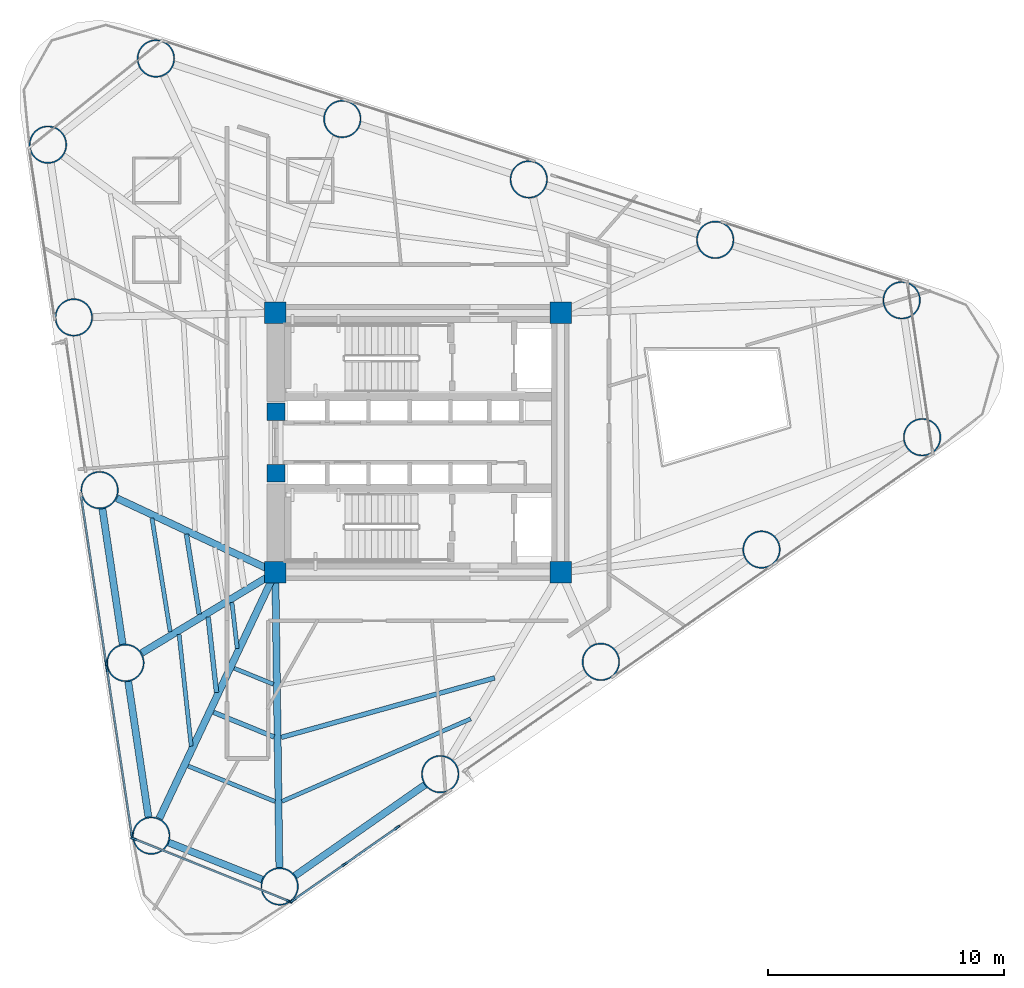
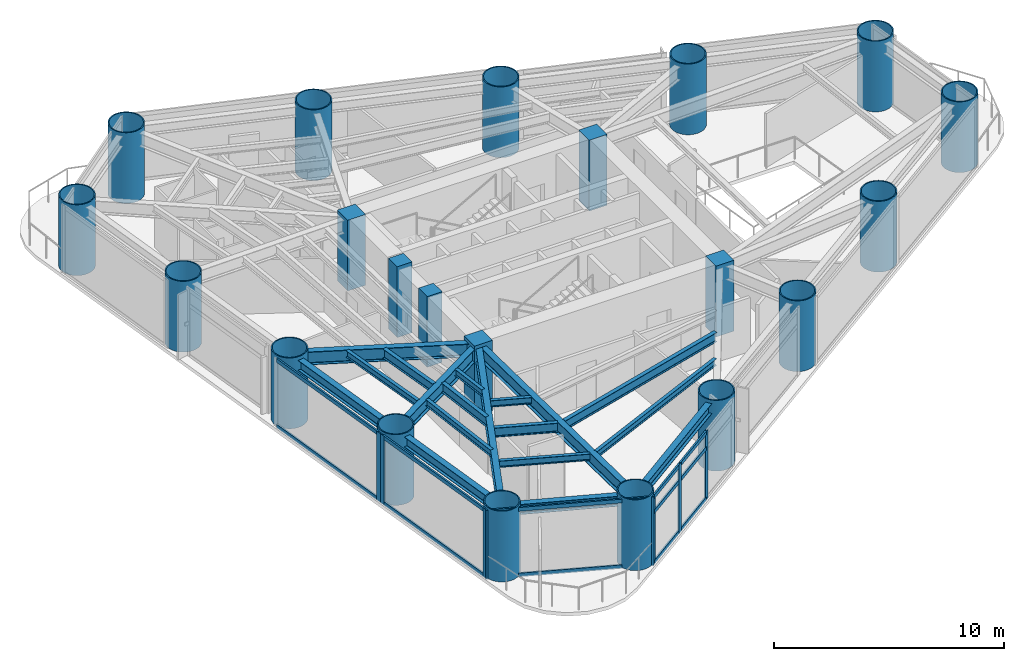
# One storey, part 1 of 9: 21 columns, 20 members, 18 beams, 4 elements without a shape of their own.
"""IFC4 building model written with IfcOpenShell, lengths in metres."""

from ifc_helpers import new_model, si_unit, direction, frame, origin, origin_2d, place, context, subcontext, project, spatial, rectangle, hollow_circle, i_section, extrude, source, transform, mapped, material, layer, layer_set, material_profile, profile_set, type_object, element, aggregate, save


model = new_model("IFC4")

# Units and contexts
model_context = context("Model", 3, precision=1e-05, world=origin(), true_north=direction((0.0, 1.0)))
body_context = subcontext(model_context, "Body", "Model", "MODEL_VIEW")
ifc_project = project(units=[si_unit("LENGTHUNIT", "METRE"), si_unit("AREAUNIT", "SQUARE_METRE"), si_unit("VOLUMEUNIT", "CUBIC_METRE"), si_unit("PLANEANGLEUNIT", "RADIAN"), si_unit("MASSUNIT", "GRAM", prefix="KILO")], contexts=[model_context])

# Site, building, storey
site_placement = place(None, origin())
site = spatial("IfcSite", under=ifc_project, at=site_placement, CompositionType="ELEMENT")
building_placement = place(site_placement, origin())
building = spatial("IfcBuilding", under=site, at=building_placement, Name="Yunling Apex Tower", CompositionType="ELEMENT")
storey_placement = place(building_placement, frame((0.0, 0.0, 73.550048828125)))
storey = spatial("IfcBuildingStorey", under=building, at=storey_placement, Name="L19", CompositionType="ELEMENT", Elevation=73.550048828125)

# Columns
ifc_material_1 = material(Name="Concrete C60", Category="concrete")
ifc_material_profile_1 = material_profile(ifc_material_1, rectangle(XDim=0.89990234375, YDim=0.89990234375, at=origin_2d()))
ifc_profile_set_1 = profile_set([ifc_material_profile_1], Name="Concrete C60")
column_type_1 = type_object("IfcColumnType", Name="PC-SRC-3", PredefinedType="COLUMN", material=ifc_profile_set_1)
shared_shape_1 = source(origin(), body_context, "Body", "SweptSolid", [
    extrude(rectangle(XDim=0.89990234375, YDim=0.89990234375, at=origin_2d()), origin(), (0.0, 0.0, 1.0), 3.75),
])
for number, where, z_axis, x_axis, name in (
    (1, (-6.050048828125, -5.5, 0.0), (0.0, 0.0, 1.0), (1.0, 0.0, 0.0), "L19 Core Spine Column CC-SW"),
    (2, (6.050048828125, -5.5, 0.0), (0.0, 0.0, 1.0), (1.0, 0.0, 0.0), "L19 Core Spine Column CC-SE"),
    (3, (6.050048828125, 5.5, 0.0), (0.0, 0.0, 1.0), (1.0, 0.0, 0.0), "L19 Core Spine Column CC-NE"),
    (4, (-6.050048828125, 5.5, 0.0), (0.0, 0.0, 1.0), (1.0, 0.0, 0.0), "L19 Core Spine Column CC-NW"),
):
    element("IfcColumn", number, at=place(storey_placement, frame(where, z_axis=z_axis, x_axis=x_axis)), inside=storey, type_object=column_type_1, Name=name, PredefinedType="COLUMN", context=body_context, shape_type="MappedRepresentation", body=[
        mapped(shared_shape_1, transform((0.0, 0.0, 0.0), scale=1.0)),
    ])
ifc_material_2 = material(Name="Concrete C50", Category="concrete")
ifc_material_profile_2 = material_profile(ifc_material_2, rectangle(XDim=0.75, YDim=0.75, at=origin_2d()))
ifc_profile_set_2 = profile_set([ifc_material_profile_2], Name="Concrete C50")
column_type_2 = type_object("IfcColumnType", Name="PC-SRC-4", PredefinedType="COLUMN", material=ifc_profile_set_2)
shared_shape_2 = source(origin(), body_context, "Body", "SweptSolid", [
    extrude(rectangle(XDim=0.75, YDim=0.75, at=origin_2d()), origin(), (0.0, 0.0, 1.0), 3.75),
])
for number, where, z_axis, x_axis, name in (
    (5, (-6.02490234375, -1.300048828125, 0.0), (0.0, 0.0, 1.0), (1.0, 0.0, 0.0), "L19 Core West Portal Jamb Column S"),
    (6, (-6.02490234375, 1.300048828125, 0.0), (0.0, 0.0, 1.0), (1.0, 0.0, 0.0), "L19 Core West Portal Jamb Column N"),
):
    element("IfcColumn", number, at=place(storey_placement, frame(where, z_axis=z_axis, x_axis=x_axis)), inside=storey, type_object=column_type_2, Name=name, PredefinedType="COLUMN", context=body_context, shape_type="MappedRepresentation", body=[
        mapped(shared_shape_2, transform((0.0, 0.0, 0.0), scale=1.0)),
    ])
ifc_material_3 = material(Name="Steel Q390GJC", Category="steel")
ifc_material_profile_3 = material_profile(ifc_material_3, hollow_circle(Radius=0.800048828125, WallThickness=0.054931640625, at=origin_2d()))
ifc_profile_set_3 = profile_set([ifc_material_profile_3], Name="Steel Q390GJC")
column_type_3 = type_object("IfcColumnType", Name="MC-CFST-1", PredefinedType="COLUMN", material=ifc_profile_set_3)
shared_shape_3 = source(origin(), body_context, "Body", "SweptSolid", [
    extrude(hollow_circle(Radius=0.800048828125, WallThickness=0.054931640625, at=origin_2d()), origin(), (0.0, 0.0, 1.0), 3.75),
])
for number, where, z_axis, x_axis, name in (
    (7, (-5.8681640625, -18.8193359375, 0.0), (0.0, 0.0, 1.0), (1.0, 0.0, 0.0), "L19 Perimeter CFST Mega-Column P01"),
    (8, (0.941650390625, -14.05810546875, 0.0), (0.0, 0.0, 1.0), (1.0, 0.0, 0.0), "L19 Perimeter CFST Mega-Column P02"),
    (9, (7.751708984375, -9.296875, 0.0), (0.0, 0.0, 1.0), (1.0, 0.0, 0.0), "L19 Perimeter CFST Mega-Column P03"),
    (10, (14.5615234375, -4.535400390625, 0.0), (0.0, 0.0, 1.0), (1.0, 0.0, 0.0), "L19 Perimeter CFST Mega-Column P04"),
    (11, (21.371337890625, 0.225830078125, 0.0), (0.0, 0.0, 1.0), (1.0, 0.0, 0.0), "L19 Perimeter CFST Mega-Column P05"),
    (12, (20.50341796875, 6.032470703125, 0.0), (0.0, 0.0, 1.0), (1.0, 0.0, 0.0), "L19 Perimeter CFST Mega-Column P06"),
    (13, (12.59912109375, 8.594482421875, 0.0), (0.0, 0.0, 1.0), (1.0, 0.0, 0.0), "L19 Perimeter CFST Mega-Column P07"),
    (14, (4.69482421875, 11.15673828125, 0.0), (0.0, 0.0, 1.0), (1.0, 0.0, 0.0), "L19 Perimeter CFST Mega-Column P08"),
    (15, (-3.209716796875, 13.718994140625, 0.0), (0.0, 0.0, 1.0), (1.0, 0.0, 0.0), "L19 Perimeter CFST Mega-Column P09"),
    (16, (-11.114013671875, 16.28125, 0.0), (0.0, 0.0, 1.0), (1.0, 0.0, 0.0), "L19 Perimeter CFST Mega-Column P10"),
    (17, (-15.689208984375, 12.62939453125, 0.0), (0.0, 0.0, 1.0), (1.0, 0.0, 0.0), "L19 Perimeter CFST Mega-Column P11"),
    (18, (-14.594482421875, 5.305908203125, 0.0), (0.0, 0.0, 1.0), (1.0, 0.0, 0.0), "L19 Perimeter CFST Mega-Column P12"),
    (19, (-13.5, -2.017578125, 0.0), (0.0, 0.0, 1.0), (1.0, 0.0, 0.0), "L19 Perimeter CFST Mega-Column P13"),
    (20, (-12.405517578125, -9.341064453125, 0.0), (0.0, 0.0, 1.0), (1.0, 0.0, 0.0), "L19 Perimeter CFST Mega-Column P14"),
    (21, (-11.31103515625, -16.66455078125, 0.0), (0.0, 0.0, 1.0), (1.0, 0.0, 0.0), "L19 Perimeter CFST Mega-Column P15"),
):
    element("IfcColumn", number, at=place(storey_placement, frame(where, z_axis=z_axis, x_axis=x_axis)), inside=storey, type_object=column_type_3, Name=name, PredefinedType="COLUMN", context=body_context, shape_type="MappedRepresentation", body=[
        mapped(shared_shape_3, transform((0.0, 0.0, 0.0), scale=1.0)),
    ])

# Beams
ifc_material_4 = material(Name="Steel Q355B", Category="steel")
ifc_material_profile_4 = material_profile(ifc_material_4, i_section(OverallWidth=0.300048828125, OverallDepth=0.5400390625, WebThickness=0.011962890625, FlangeThickness=0.02001953125, FilletRadius=0.02392578125, at=origin_2d()))
ifc_profile_set_4 = profile_set([ifc_material_profile_4], Name="Steel Q355B")
beam_type_1 = type_object("IfcBeamType", Name="BP-SPN-1", PredefinedType="SPANDREL", material=ifc_profile_set_4)
shared_shape_4 = source(origin(), body_context, "Body", "SweptSolid", [
    extrude(i_section(OverallWidth=0.300048828125, OverallDepth=0.5400390625, WebThickness=0.011962890625, FlangeThickness=0.02001953125, FilletRadius=0.02392578125, at=origin_2d()), origin(), (0.0, 0.0, 1.0), 6.721435546875),
])
beam_1_placement = place(storey_placement, frame((-5.217529296875, -18.364501953125, 3.294921875), z_axis=(0.81955772083, 0.572996633697, 0.0), x_axis=(-0.572996633697, 0.81955772083, 0.0)))
element("IfcBeam", 22, at=beam_1_placement, inside=storey, type_object=beam_type_1, Name="L19 Perimeter Spandrel Beam 1", PredefinedType="SPANDREL", context=body_context, shape_type="MappedRepresentation", body=[
    mapped(shared_shape_4, transform((0.0, 0.0, 0.0), scale=1.0)),
])
shared_shape_5 = source(origin(), body_context, "Body", "SweptSolid", [
    extrude(i_section(OverallWidth=0.300048828125, OverallDepth=0.5400390625, WebThickness=0.011962890625, FlangeThickness=0.02001953125, FilletRadius=0.02392578125, at=origin_2d()), origin(), (0.0, 0.0, 1.0), 4.265869140625),
])
beam_2_placement = place(storey_placement, frame((-10.57275390625, -16.956787109375, 3.294921875), z_axis=(0.929781313093, -0.368112360323, 0.0), x_axis=(0.368112360323, 0.929781313093, 0.0)))
element("IfcBeam", 23, at=beam_2_placement, inside=storey, type_object=beam_type_1, Name="L19 Perimeter Spandrel Beam 15", PredefinedType="SPANDREL", context=body_context, shape_type="MappedRepresentation", body=[
    mapped(shared_shape_5, transform((0.0, 0.0, 0.0), scale=1.0)),
])
shared_shape_6 = source(origin(), body_context, "Body", "SweptSolid", [
    extrude(i_section(OverallWidth=0.300048828125, OverallDepth=0.5400390625, WebThickness=0.011962890625, FlangeThickness=0.02001953125, FilletRadius=0.02392578125, at=origin_2d()), origin(), (0.0, 0.0, 1.0), 5.81689453125),
])
for number, where, z_axis, x_axis, name in (
    (24, (-13.3828125, -2.802978515625, 3.294921875), (0.147823230204, -0.989013797989, 0.0), (0.989013797989, 0.147823230204, 0.0), "L19 Perimeter Spandrel Beam 13"),
    (25, (-12.2880859375, -10.12646484375, 3.294921875), (0.14778217558, -0.989019933359, 0.0), (0.989019933359, 0.14778217558, 0.0), "L19 Perimeter Spandrel Beam 14"),
):
    element("IfcBeam", number, at=place(storey_placement, frame(where, z_axis=z_axis, x_axis=x_axis)), inside=storey, type_object=beam_type_1, Name=name, PredefinedType="SPANDREL", context=body_context, shape_type="MappedRepresentation", body=[
        mapped(shared_shape_6, transform((0.0, 0.0, 0.0), scale=1.0)),
    ])
ifc_material_profile_5 = material_profile(ifc_material_4, i_section(OverallWidth=0.300048828125, OverallDepth=0.699951171875, WebThickness=0.012939453125, FlangeThickness=0.02392578125, FilletRadius=0.02587890625, at=origin_2d()))
ifc_profile_set_5 = profile_set([ifc_material_profile_5], Name="Steel Q355B")
beam_type_2 = type_object("IfcBeamType", Name="BG-PRI-3", PredefinedType="USERDEFINED", material=ifc_profile_set_5)
shared_shape_7 = source(origin(), body_context, "Body", "SweptSolid", [
    extrude(i_section(OverallWidth=0.300048828125, OverallDepth=0.699951171875, WebThickness=0.012939453125, FlangeThickness=0.02392578125, FilletRadius=0.02587890625, at=origin_2d()), origin(), (0.0, 0.0, 1.0), 12.4326171875),
])
beam_3_placement = place(storey_placement, frame((-5.879150390625, -18.011474609375, 3.21484375), z_axis=(-0.013647857779, 0.999906863652, 0.0), x_axis=(-0.999906863652, -0.013647857779, 0.0)))
element("IfcBeam", 26, at=beam_3_placement, inside=storey, type_object=beam_type_2, Name="L19 Radial Primary Girder R01", ObjectType="GIRDER", PredefinedType="USERDEFINED", context=body_context, shape_type="MappedRepresentation", body=[
    mapped(shared_shape_7, transform((0.0, 0.0, 0.0), scale=1.0)),
])
shared_shape_8 = source(origin(), body_context, "Body", "SweptSolid", [
    extrude(i_section(OverallWidth=0.300048828125, OverallDepth=0.699951171875, WebThickness=0.012939453125, FlangeThickness=0.02392578125, FilletRadius=0.02587890625, at=origin_2d()), origin(), (0.0, 0.0, 1.0), 7.335693359375),
])
beam_4_placement = place(storey_placement, frame((-12.76806640625, -2.35986328125, 3.21484375), z_axis=(0.905923640783, -0.423441090437, 0.0), x_axis=(0.423441090437, 0.905923640783, 0.0)))
element("IfcBeam", 27, at=beam_4_placement, inside=storey, type_object=beam_type_2, Name="L19 Radial Primary Girder R13", ObjectType="GIRDER", PredefinedType="USERDEFINED", context=body_context, shape_type="MappedRepresentation", body=[
    mapped(shared_shape_8, transform((0.0, 0.0, 0.0), scale=1.0)),
])
shared_shape_9 = source(origin(), body_context, "Body", "SweptSolid", [
    extrude(i_section(OverallWidth=0.300048828125, OverallDepth=0.699951171875, WebThickness=0.012939453125, FlangeThickness=0.02392578125, FilletRadius=0.02587890625, at=origin_2d()), origin(), (0.0, 0.0, 1.0), 6.5380859375),
])
beam_5_placement = place(storey_placement, frame((-11.714111328125, -8.923095703125, 3.21484375), z_axis=(0.855857690559, 0.517211381847, 0.0), x_axis=(-0.517211381847, 0.855857690559, 0.0)))
element("IfcBeam", 28, at=beam_5_placement, inside=storey, type_object=beam_type_2, Name="L19 Radial Primary Girder R14", ObjectType="GIRDER", PredefinedType="USERDEFINED", context=body_context, shape_type="MappedRepresentation", body=[
    mapped(shared_shape_9, transform((0.0, 0.0, 0.0), scale=1.0)),
])
shared_shape_10 = source(origin(), body_context, "Body", "SweptSolid", [
    extrude(i_section(OverallWidth=0.300048828125, OverallDepth=0.699951171875, WebThickness=0.012939453125, FlangeThickness=0.02392578125, FilletRadius=0.02587890625, at=origin_2d()), origin(), (0.0, 0.0, 1.0), 11.4541015625),
])
beam_6_placement = place(storey_placement, frame((-10.966796875, -15.93359375, 3.21484375), z_axis=(0.426297901301, 0.904582831667, 0.0), x_axis=(-0.904582831667, 0.426297901301, 0.0)))
element("IfcBeam", 29, at=beam_6_placement, inside=storey, type_object=beam_type_2, Name="L19 Radial Primary Girder R15", ObjectType="GIRDER", PredefinedType="USERDEFINED", context=body_context, shape_type="MappedRepresentation", body=[
    mapped(shared_shape_10, transform((0.0, 0.0, 0.0), scale=1.0)),
])
ifc_material_profile_6 = material_profile(ifc_material_4, i_section(OverallWidth=0.199951171875, OverallDepth=0.5, WebThickness=0.010009765625, FlangeThickness=0.01611328125, FilletRadius=0.02001953125, at=origin_2d()))
ifc_profile_set_6 = profile_set([ifc_material_profile_6], Name="Steel Q355B")
beam_type_3 = type_object("IfcBeamType", Name="BS-SEC-2", PredefinedType="BEAM", material=ifc_profile_set_6)
shared_shape_11 = source(origin(), body_context, "Body", "SweptSolid", [
    extrude(i_section(OverallWidth=0.199951171875, OverallDepth=0.5, WebThickness=0.010009765625, FlangeThickness=0.01611328125, FilletRadius=0.02001953125, at=origin_2d()), origin(), (0.0, 0.0, 1.0), 9.3935546875),
])
beam_7_placement = place(storey_placement, frame((-5.7998046875, -12.498779296875, 3.31494140625), z_axis=(0.963300137935, 0.268426608693, 0.0), x_axis=(-0.268426608693, 0.963300137935, 0.0)))
element("IfcBeam", 30, at=beam_7_placement, inside=storey, type_object=beam_type_3, Name="L19 Composite Floor Beam BS-1", PredefinedType="BEAM", context=body_context, shape_type="MappedRepresentation", body=[
    mapped(shared_shape_11, transform((0.0, 0.0, 0.0), scale=1.0)),
])
ifc_material_profile_7 = material_profile(ifc_material_4, i_section(OverallWidth=0.175048828125, OverallDepth=0.35009765625, WebThickness=0.007080078125, FlangeThickness=0.010986328125, FilletRadius=0.013916015625, at=origin_2d()))
ifc_profile_set_7 = profile_set([ifc_material_profile_7], Name="Steel Q355B")
beam_type_4 = type_object("IfcBeamType", Name="BJ-JST-1", PredefinedType="JOIST", material=ifc_profile_set_7)
shared_shape_12 = source(origin(), body_context, "Body", "SweptSolid", [
    extrude(i_section(OverallWidth=0.175048828125, OverallDepth=0.35009765625, WebThickness=0.007080078125, FlangeThickness=0.010986328125, FilletRadius=0.013916015625, at=origin_2d()), origin(), (0.0, 0.0, 1.0), 8.734375),
])
beam_8_placement = place(storey_placement, frame((-5.77001953125, -15.21240234375, 3.389892578125), z_axis=(0.916252252871, 0.400601808668, 0.0), x_axis=(-0.400601808668, 0.916252252871, 0.0)))
element("IfcBeam", 31, at=beam_8_placement, inside=storey, type_object=beam_type_4, Name="L19 Composite Floor Joist BJ1-1", PredefinedType="JOIST", context=body_context, shape_type="MappedRepresentation", body=[
    mapped(shared_shape_12, transform((0.0, 0.0, 0.0), scale=1.0)),
])
shared_shape_13 = source(origin(), body_context, "Body", "SweptSolid", [
    extrude(i_section(OverallWidth=0.199951171875, OverallDepth=0.5, WebThickness=0.010009765625, FlangeThickness=0.01611328125, FilletRadius=0.02001953125, at=origin_2d()), origin(), (0.0, 0.0, 1.0), 3.435546875),
])
beam_9_placement = place(storey_placement, frame((-9.81884765625, -3.884521484375, 3.31494140625), z_axis=(0.157619096627, -0.987499985002, 0.0), x_axis=(0.987499985002, 0.157619096627, 0.0)))
element("IfcBeam", 32, at=beam_9_placement, inside=storey, type_object=beam_type_3, Name="L19 Composite Floor Beam BS-13", PredefinedType="BEAM", context=body_context, shape_type="MappedRepresentation", body=[
    mapped(shared_shape_13, transform((0.0, 0.0, 0.0), scale=1.0)),
])
shared_shape_14 = source(origin(), body_context, "Body", "SweptSolid", [
    extrude(i_section(OverallWidth=0.175048828125, OverallDepth=0.35009765625, WebThickness=0.007080078125, FlangeThickness=0.010986328125, FilletRadius=0.013916015625, at=origin_2d()), origin(), (0.0, 0.0, 1.0), 4.881591796875),
])
beam_10_placement = place(storey_placement, frame((-11.28076171875, -3.201171875, 3.389892578125), z_axis=(0.158240169421, -0.987400652614, 0.0), x_axis=(0.987400652614, 0.158240169421, 0.0)))
element("IfcBeam", 33, at=beam_10_placement, inside=storey, type_object=beam_type_4, Name="L19 Composite Floor Joist BJ1-13", PredefinedType="JOIST", context=body_context, shape_type="MappedRepresentation", body=[
    mapped(shared_shape_14, transform((0.0, 0.0, 0.0), scale=1.0)),
])
shared_shape_15 = source(origin(), body_context, "Body", "SweptSolid", [
    extrude(i_section(OverallWidth=0.199951171875, OverallDepth=0.5, WebThickness=0.010009765625, FlangeThickness=0.01611328125, FilletRadius=0.02001953125, at=origin_2d()), origin(), (0.0, 0.0, 1.0), 3.222412109375),
])
beam_11_placement = place(storey_placement, frame((-8.898681640625, -7.391357421875, 3.31494140625), z_axis=(0.110315104592, -0.993896663491, 0.0), x_axis=(0.993896663491, 0.110315104592, 0.0)))
element("IfcBeam", 34, at=beam_11_placement, inside=storey, type_object=beam_type_3, Name="L19 Composite Floor Beam BS-14", PredefinedType="BEAM", context=body_context, shape_type="MappedRepresentation", body=[
    mapped(shared_shape_15, transform((0.0, 0.0, 0.0), scale=1.0)),
])
shared_shape_16 = source(origin(), body_context, "Body", "SweptSolid", [
    extrude(i_section(OverallWidth=0.175048828125, OverallDepth=0.35009765625, WebThickness=0.007080078125, FlangeThickness=0.010986328125, FilletRadius=0.013916015625, at=origin_2d()), origin(), (0.0, 0.0, 1.0), 4.765869140625),
])
beam_12_placement = place(storey_placement, frame((-10.130126953125, -8.135498046875, 3.389892578125), z_axis=(0.107732282993, -0.994179941058, 0.0), x_axis=(0.994179941058, 0.107732282993, 0.0)))
element("IfcBeam", 35, at=beam_12_placement, inside=storey, type_object=beam_type_4, Name="L19 Composite Floor Joist BJ1-14", PredefinedType="JOIST", context=body_context, shape_type="MappedRepresentation", body=[
    mapped(shared_shape_16, transform((0.0, 0.0, 0.0), scale=1.0)),
])
shared_shape_17 = source(origin(), body_context, "Body", "SweptSolid", [
    extrude(i_section(OverallWidth=0.175048828125, OverallDepth=0.35009765625, WebThickness=0.007080078125, FlangeThickness=0.010986328125, FilletRadius=0.013916015625, at=origin_2d()), origin(), (0.0, 0.0, 1.0), 1.95947265625),
])
beam_13_placement = place(storey_placement, frame((-7.890625, -6.782470703125, 3.389892578125), z_axis=(0.11512063256, -0.993351518829, 0.0), x_axis=(0.993351518829, 0.11512063256, 0.0)))
element("IfcBeam", 36, at=beam_13_placement, inside=storey, type_object=beam_type_4, Name="L19 Composite Floor Joist BJ3-14", PredefinedType="JOIST", context=body_context, shape_type="MappedRepresentation", body=[
    mapped(shared_shape_17, transform((0.0, 0.0, 0.0), scale=1.0)),
])
shared_shape_18 = source(origin(), body_context, "Body", "SweptSolid", [
    extrude(i_section(OverallWidth=0.199951171875, OverallDepth=0.5, WebThickness=0.010009765625, FlangeThickness=0.01611328125, FilletRadius=0.02001953125, at=origin_2d()), origin(), (0.0, 0.0, 1.0), 2.77294921875),
])
beam_14_placement = place(storey_placement, frame((-8.670166015625, -11.43505859375, 3.31494140625), z_axis=(0.926108309986, -0.377257734413, 0.0), x_axis=(0.377257734413, 0.926108309986, 0.0)))
element("IfcBeam", 37, at=beam_14_placement, inside=storey, type_object=beam_type_3, Name="L19 Composite Floor Beam BS-15", PredefinedType="BEAM", context=body_context, shape_type="MappedRepresentation", body=[
    mapped(shared_shape_18, transform((0.0, 0.0, 0.0), scale=1.0)),
])
shared_shape_19 = source(origin(), body_context, "Body", "SweptSolid", [
    extrude(i_section(OverallWidth=0.175048828125, OverallDepth=0.35009765625, WebThickness=0.007080078125, FlangeThickness=0.010986328125, FilletRadius=0.013916015625, at=origin_2d()), origin(), (0.0, 0.0, 1.0), 3.97412109375),
])
beam_15_placement = place(storey_placement, frame((-9.744384765625, -13.714599609375, 3.389892578125), z_axis=(0.925887115862, -0.377800276178, 0.0), x_axis=(0.377800276178, 0.925887115862, 0.0)))
element("IfcBeam", 38, at=beam_15_placement, inside=storey, type_object=beam_type_4, Name="L19 Composite Floor Joist BJ1-15", PredefinedType="JOIST", context=body_context, shape_type="MappedRepresentation", body=[
    mapped(shared_shape_19, transform((0.0, 0.0, 0.0), scale=1.0)),
])
shared_shape_20 = source(origin(), body_context, "Body", "SweptSolid", [
    extrude(i_section(OverallWidth=0.175048828125, OverallDepth=0.35009765625, WebThickness=0.007080078125, FlangeThickness=0.010986328125, FilletRadius=0.013916015625, at=origin_2d()), origin(), (0.0, 0.0, 1.0), 1.790283203125),
])
beam_16_placement = place(storey_placement, frame((-7.791259765625, -9.56982421875, 3.389892578125), z_axis=(0.926469549023, -0.376369731425, 0.0), x_axis=(0.376369731425, 0.926469549023, 0.0)))
element("IfcBeam", 39, at=beam_16_placement, inside=storey, type_object=beam_type_4, Name="L19 Composite Floor Joist BJ3-15", PredefinedType="JOIST", context=body_context, shape_type="MappedRepresentation", body=[
    mapped(shared_shape_20, transform((0.0, 0.0, 0.0), scale=1.0)),
])

# Curtain wall, members
ifc_material_5 = material(Name="Bronze anodised aluminium", Category="aluminium")
ifc_layer = layer(ifc_material_5, 0.260009765625)
ifc_layer_set = layer_set([ifc_layer], Name="Bronze anodised aluminium")
curtain_wall_type = type_object("IfcCurtainWallType", Name="CW-SYS-2", PredefinedType="NOTDEFINED", material=ifc_layer_set)
curtain_wall_1_placement = place(storey_placement, origin())
curtain_wall_1 = element("IfcCurtainWall", 40, at=curtain_wall_1_placement, inside=storey, type_object=curtain_wall_type, Name="CW-L19-F1-B1", PredefinedType="NOTDEFINED")
ifc_material_profile_8 = material_profile(ifc_material_5, rectangle(XDim=0.0849609375, YDim=0.260009765625, at=origin_2d()))
ifc_profile_set_8 = profile_set([ifc_material_profile_8], Name="Bronze anodised aluminium")
member_type_1 = type_object("IfcMemberType", Name="CW-MUL-2", PredefinedType="MULLION", material=ifc_profile_set_8)
shared_shape_21 = source(origin(), body_context, "Body", "SweptSolid", [
    extrude(rectangle(XDim=0.0849609375, YDim=0.260009765625, at=origin_2d()), origin(), (0.0, 0.0, 1.0), 3.6650390625),
])
member_1_placement = place(storey_placement, frame((-5.3037109375, -19.412841796875, -0.050048828125), z_axis=(0.0, 0.0, 1.0), x_axis=(-0.573004358875, 0.819552319691, 0.0)))
member_1 = element("IfcMember", 41, at=member_1_placement, type_object=member_type_1, Name="CW-SYS-2 mullion 1", PredefinedType="MULLION", context=body_context, shape_type="MappedRepresentation", body=[
    mapped(shared_shape_21, transform((0.0, 0.0, 0.0), scale=1.0)),
])
member_2_placement = place(storey_placement, frame((-3.1123046875, -17.880859375, -0.050048828125), z_axis=(0.0, 0.0, 1.0), x_axis=(-0.573004358875, 0.819552319691, 0.0)))
member_2 = element("IfcMember", 42, at=member_2_placement, type_object=member_type_1, Name="CW-SYS-2 mullion 2", PredefinedType="MULLION", context=body_context, shape_type="MappedRepresentation", body=[
    mapped(shared_shape_21, transform((0.0, 0.0, 0.0), scale=1.0)),
])
member_3_placement = place(storey_placement, frame((-0.885986328125, -16.32421875, -0.050048828125), z_axis=(0.0, 0.0, 1.0), x_axis=(-0.573004358875, 0.819552319691, 0.0)))
member_3 = element("IfcMember", 43, at=member_3_placement, type_object=member_type_1, Name="CW-SYS-2 mullion 3", PredefinedType="MULLION", context=body_context, shape_type="MappedRepresentation", body=[
    mapped(shared_shape_21, transform((0.0, 0.0, 0.0), scale=1.0)),
])

# Curtain wall, member
curtain_wall_2_placement = place(storey_placement, origin())
curtain_wall_2 = element("IfcCurtainWall", 44, at=curtain_wall_2_placement, inside=storey, type_object=curtain_wall_type, Name="CW-L19-F3-B3", PredefinedType="NOTDEFINED")
member_4_placement = place(storey_placement, frame((-13.224853515625, -9.339599609375, -0.050048828125), z_axis=(0.0, 0.0, 1.0), x_axis=(0.98901508166, 0.147814641525, 0.0)))
member_4 = element("IfcMember", 45, at=member_4_placement, type_object=member_type_1, Name="CW-SYS-2 mullion 2", PredefinedType="MULLION", context=body_context, shape_type="MappedRepresentation", body=[
    mapped(shared_shape_21, transform((0.0, 0.0, 0.0), scale=1.0)),
])

# Curtain wall, members
curtain_wall_3_placement = place(storey_placement, origin())
curtain_wall_3 = element("IfcCurtainWall", 46, at=curtain_wall_3_placement, inside=storey, type_object=curtain_wall_type, Name="CW-L19-F3-B4", PredefinedType="NOTDEFINED")
member_5_placement = place(storey_placement, frame((-13.1884765625, -9.58203125, -0.050048828125), z_axis=(0.0, 0.0, 1.0), x_axis=(0.989017099422, 0.14780114022, 0.0)))
member_5 = element("IfcMember", 47, at=member_5_placement, type_object=member_type_1, Name="CW-SYS-2 mullion 1", PredefinedType="MULLION", context=body_context, shape_type="MappedRepresentation", body=[
    mapped(shared_shape_21, transform((0.0, 0.0, 0.0), scale=1.0)),
])
member_6_placement = place(storey_placement, frame((-12.13037109375, -16.6630859375, -0.050048828125), z_axis=(0.0, 0.0, 1.0), x_axis=(0.989017099422, 0.14780114022, 0.0)))
member_6 = element("IfcMember", 48, at=member_6_placement, type_object=member_type_1, Name="CW-SYS-2 mullion 2", PredefinedType="MULLION", context=body_context, shape_type="MappedRepresentation", body=[
    mapped(shared_shape_21, transform((0.0, 0.0, 0.0), scale=1.0)),
])

curtain_wall_4_placement = place(storey_placement, origin())
curtain_wall_4 = element("IfcCurtainWall", 49, at=curtain_wall_4_placement, inside=storey, type_object=curtain_wall_type, Name="CW-L19-CRN3", PredefinedType="NOTDEFINED")
member_7_placement = place(storey_placement, frame((-12.052978515625, -16.79736328125, -0.050048828125), z_axis=(0.0, 0.0, 1.0), x_axis=(0.373143693329, 0.927773562961, 0.0)))
member_7 = element("IfcMember", 50, at=member_7_placement, type_object=member_type_1, Name="CW-SYS-2 mullion 1", PredefinedType="MULLION", context=body_context, shape_type="MappedRepresentation", body=[
    mapped(shared_shape_21, transform((0.0, 0.0, 0.0), scale=1.0)),
])
member_8_placement = place(storey_placement, frame((-5.454833984375, -19.450927734375, -0.050048828125), z_axis=(0.0, 0.0, 1.0), x_axis=(0.373143693329, 0.927773562961, 0.0)))
member_8 = element("IfcMember", 51, at=member_8_placement, type_object=member_type_1, Name="CW-SYS-2 mullion 2", PredefinedType="MULLION", context=body_context, shape_type="MappedRepresentation", body=[
    mapped(shared_shape_21, transform((0.0, 0.0, 0.0), scale=1.0)),
])

# Member
ifc_material_profile_9 = material_profile(ifc_material_5, rectangle(XDim=0.0849609375, YDim=0.199951171875, at=origin_2d()))
ifc_profile_set_9 = profile_set([ifc_material_profile_9], Name="Bronze anodised aluminium")
member_type_2 = type_object("IfcMemberType", Name="CW-TRN-2", PredefinedType="USERDEFINED", material=ifc_profile_set_9)
shared_shape_22 = source(origin(), body_context, "Body", "SweptSolid", [
    extrude(rectangle(XDim=0.0849609375, YDim=0.199951171875, at=origin_2d()), origin(), (0.0, 0.0, 1.0), 2.597412109375),
])
member_9_placement = place(storey_placement, frame((-5.272216796875, -19.39111328125, 0.04248046875), z_axis=(0.819510013096, 0.573064864073, 0.0), x_axis=(-0.573064864073, 0.819510013096, 0.0)))
member_9 = element("IfcMember", 52, at=member_9_placement, type_object=member_type_2, Name="CW-SYS-2 transom 1.1", ObjectType="TRANSOM", PredefinedType="USERDEFINED", context=body_context, shape_type="MappedRepresentation", body=[
    mapped(shared_shape_22, transform((0.0, 0.0, 0.0), scale=1.0)),
])

member_10_placement = place(storey_placement, frame((-5.272216796875, -19.39111328125, 2.71484375), z_axis=(0.819510013096, 0.573064864073, 0.0), x_axis=(-0.573064864073, 0.819510013096, 0.0)))
member_10 = element("IfcMember", 53, at=member_10_placement, type_object=member_type_2, Name="CW-SYS-2 transom 1.2", ObjectType="TRANSOM", PredefinedType="USERDEFINED", context=body_context, shape_type="MappedRepresentation", body=[
    mapped(shared_shape_22, transform((0.0, 0.0, 0.0), scale=1.0)),
])

member_11_placement = place(storey_placement, frame((-5.272216796875, -19.39111328125, 3.5224609375), z_axis=(0.819510013096, 0.573064864073, 0.0), x_axis=(-0.573064864073, 0.819510013096, 0.0)))
member_11 = element("IfcMember", 54, at=member_11_placement, type_object=member_type_2, Name="CW-SYS-2 transom 1.3", ObjectType="TRANSOM", PredefinedType="USERDEFINED", context=body_context, shape_type="MappedRepresentation", body=[
    mapped(shared_shape_22, transform((0.0, 0.0, 0.0), scale=1.0)),
])

shared_shape_23 = source(origin(), body_context, "Body", "SweptSolid", [
    extrude(rectangle(XDim=0.0849609375, YDim=0.199951171875, at=origin_2d()), origin(), (0.0, 0.0, 1.0), 2.639892578125),
])
member_12_placement = place(storey_placement, frame((-3.080810546875, -17.85888671875, 0.04248046875), z_axis=(0.81955329767, 0.573002960095, 0.0), x_axis=(-0.573002960095, 0.81955329767, 0.0)))
member_12 = element("IfcMember", 55, at=member_12_placement, type_object=member_type_2, Name="CW-SYS-2 transom 2.1", ObjectType="TRANSOM", PredefinedType="USERDEFINED", context=body_context, shape_type="MappedRepresentation", body=[
    mapped(shared_shape_23, transform((0.0, 0.0, 0.0), scale=1.0)),
])

member_13_placement = place(storey_placement, frame((-3.080810546875, -17.85888671875, 2.71484375), z_axis=(0.81955329767, 0.573002960095, 0.0), x_axis=(-0.573002960095, 0.81955329767, 0.0)))
member_13 = element("IfcMember", 56, at=member_13_placement, type_object=member_type_2, Name="CW-SYS-2 transom 2.2", ObjectType="TRANSOM", PredefinedType="USERDEFINED", context=body_context, shape_type="MappedRepresentation", body=[
    mapped(shared_shape_23, transform((0.0, 0.0, 0.0), scale=1.0)),
])

member_14_placement = place(storey_placement, frame((-3.080810546875, -17.85888671875, 3.5224609375), z_axis=(0.81955329767, 0.573002960095, 0.0), x_axis=(-0.573002960095, 0.81955329767, 0.0)))
member_14 = element("IfcMember", 57, at=member_14_placement, type_object=member_type_2, Name="CW-SYS-2 transom 2.3", ObjectType="TRANSOM", PredefinedType="USERDEFINED", context=body_context, shape_type="MappedRepresentation", body=[
    mapped(shared_shape_23, transform((0.0, 0.0, 0.0), scale=1.0)),
])

aggregate(curtain_wall_1, [member_1, member_2, member_3, member_9, member_10, member_11, member_12, member_13, member_14])

shared_shape_24 = source(origin(), body_context, "Body", "SweptSolid", [
    extrude(rectangle(XDim=0.0849609375, YDim=0.199951171875, at=origin_2d()), origin(), (0.0, 0.0, 1.0), 7.03515625),
])
member_15_placement = place(storey_placement, frame((-12.017578125, -16.8115234375, 0.04248046875), z_axis=(0.927768998615, -0.373155041784, 0.0), x_axis=(0.373155041784, 0.927768998615, 0.0)))
member_15 = element("IfcMember", 58, at=member_15_placement, type_object=member_type_2, Name="CW-SYS-2 transom 1.1", ObjectType="TRANSOM", PredefinedType="USERDEFINED", context=body_context, shape_type="MappedRepresentation", body=[
    mapped(shared_shape_24, transform((0.0, 0.0, 0.0), scale=1.0)),
])

member_16_placement = place(storey_placement, frame((-12.017578125, -16.8115234375, 3.5224609375), z_axis=(0.927768998615, -0.373155041784, 0.0), x_axis=(0.373155041784, 0.927768998615, 0.0)))
member_16 = element("IfcMember", 59, at=member_16_placement, type_object=member_type_2, Name="CW-SYS-2 transom 1.2", ObjectType="TRANSOM", PredefinedType="USERDEFINED", context=body_context, shape_type="MappedRepresentation", body=[
    mapped(shared_shape_24, transform((0.0, 0.0, 0.0), scale=1.0)),
])

aggregate(curtain_wall_4, [member_7, member_8, member_15, member_16])

shared_shape_25 = source(origin(), body_context, "Body", "SweptSolid", [
    extrude(rectangle(XDim=0.0849609375, YDim=0.199951171875, at=origin_2d()), origin(), (0.0, 0.0, 1.0), 7.08349609375),
])
member_17_placement = place(storey_placement, frame((-14.27734375, -2.296142578125, 0.04248046875), z_axis=(0.147792672874, -0.989018364766, 0.0), x_axis=(0.989018364766, 0.147792672874, 0.0)))
member_17 = element("IfcMember", 60, at=member_17_placement, type_object=member_type_2, Name="CW-SYS-2 transom 1.1", ObjectType="TRANSOM", PredefinedType="USERDEFINED", context=body_context, shape_type="MappedRepresentation", body=[
    mapped(shared_shape_25, transform((0.0, 0.0, 0.0), scale=1.0)),
])

member_18_placement = place(storey_placement, frame((-14.27734375, -2.296142578125, 3.5224609375), z_axis=(0.147792672874, -0.989018364766, 0.0), x_axis=(0.989018364766, 0.147792672874, 0.0)))
member_18 = element("IfcMember", 61, at=member_18_placement, type_object=member_type_2, Name="CW-SYS-2 transom 1.2", ObjectType="TRANSOM", PredefinedType="USERDEFINED", context=body_context, shape_type="MappedRepresentation", body=[
    mapped(shared_shape_25, transform((0.0, 0.0, 0.0), scale=1.0)),
])

aggregate(curtain_wall_2, [member_4, member_17, member_18])

shared_shape_26 = source(origin(), body_context, "Body", "SweptSolid", [
    extrude(rectangle(XDim=0.0849609375, YDim=0.199951171875, at=origin_2d()), origin(), (0.0, 0.0, 1.0), 7.083251953125),
])
member_19_placement = place(storey_placement, frame((-13.182861328125, -9.619873046875, 0.04248046875), z_axis=(0.147797711012, -0.989017611886, 0.0), x_axis=(0.989017611886, 0.147797711012, 0.0)))
member_19 = element("IfcMember", 62, at=member_19_placement, type_object=member_type_2, Name="CW-SYS-2 transom 1.1", ObjectType="TRANSOM", PredefinedType="USERDEFINED", context=body_context, shape_type="MappedRepresentation", body=[
    mapped(shared_shape_26, transform((0.0, 0.0, 0.0), scale=1.0)),
])

member_20_placement = place(storey_placement, frame((-13.182861328125, -9.619873046875, 3.5224609375), z_axis=(0.147797711012, -0.989017611886, 0.0), x_axis=(0.989017611886, 0.147797711012, 0.0)))
member_20 = element("IfcMember", 63, at=member_20_placement, type_object=member_type_2, Name="CW-SYS-2 transom 1.2", ObjectType="TRANSOM", PredefinedType="USERDEFINED", context=body_context, shape_type="MappedRepresentation", body=[
    mapped(shared_shape_26, transform((0.0, 0.0, 0.0), scale=1.0)),
])

aggregate(curtain_wall_3, [member_5, member_6, member_19, member_20])

save(model, "model.ifc")
